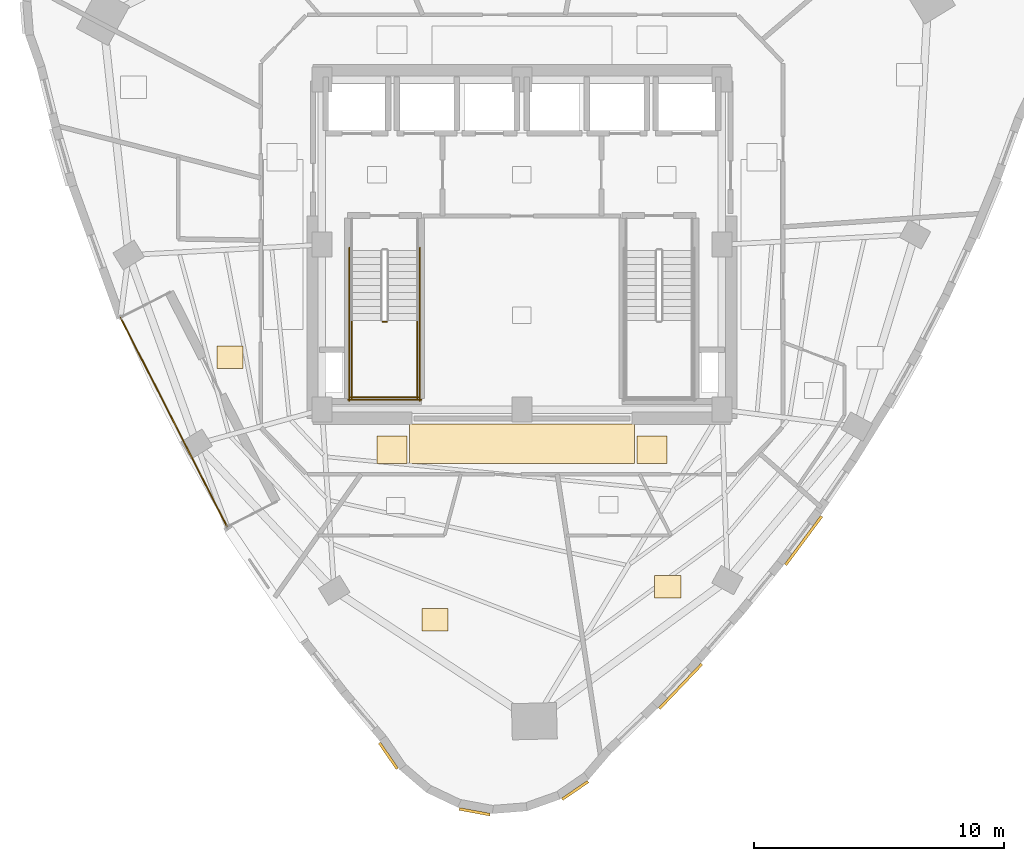
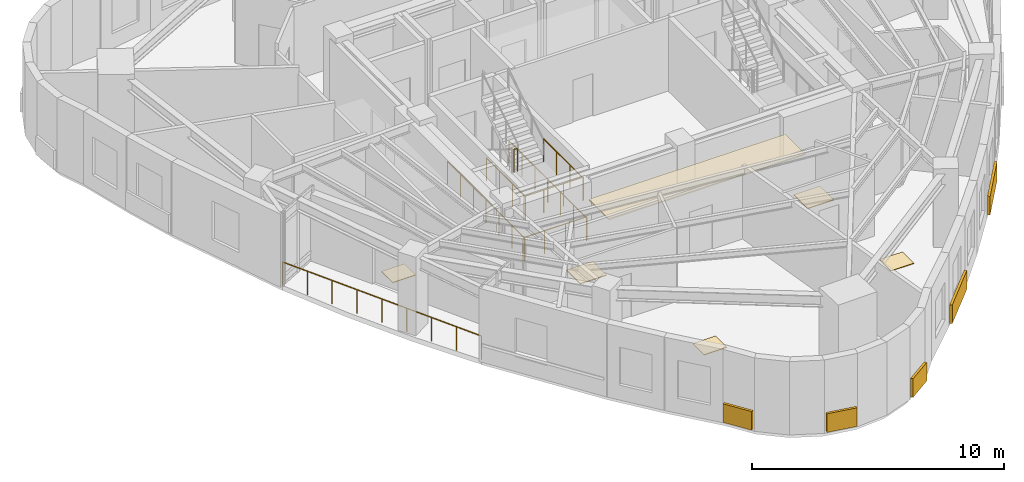
# One storey, part 10 of 12: 11 coverings, 8 railings.
"""IFC4 building model written with IfcOpenShell, lengths in metres."""

from ifc_helpers import new_model, si_unit, direction, frame, origin, origin_2d, place, context, subcontext, project, spatial, rectangle, circle, extrude, material, layer, layer_set, type_object, element, save


model = new_model("IFC4")

# Units and contexts
model_context = context("Model", 3, precision=1e-05, world=origin(), true_north=direction((0.0, 1.0)))
body_context = subcontext(model_context, "Body", "Model", "MODEL_VIEW")
ifc_project = project(units=[si_unit("LENGTHUNIT", "METRE"), si_unit("AREAUNIT", "SQUARE_METRE"), si_unit("VOLUMEUNIT", "CUBIC_METRE"), si_unit("PLANEANGLEUNIT", "RADIAN"), si_unit("MASSUNIT", "GRAM", prefix="KILO")], contexts=[model_context])

# Site, building, storey
site_placement = place(None, origin())
site = spatial("IfcSite", under=ifc_project, at=site_placement, CompositionType="ELEMENT")
building_placement = place(site_placement, origin())
building = spatial("IfcBuilding", under=site, at=building_placement, Name="Ndelora Gate Hotel", CompositionType="ELEMENT")
storey_placement = place(building_placement, frame((0.0, 0.0, 194.14990234375)))
storey = spatial("IfcBuildingStorey", under=building, at=storey_placement, Name="L48", CompositionType="ELEMENT", Elevation=194.14990234375)

# Coverings
ifc_material_1 = material(Name="Perforated Acoustic Gypsum Board", Category="gypsum")
ifc_layer_1 = layer(ifc_material_1, 0.054931640625)
ifc_layer_set_1 = layer_set([ifc_layer_1], Name="Perforated Acoustic Gypsum Board")
covering_type_1 = type_object("IfcCoveringType", Name="COV-CEIL-AC60", PredefinedType="CEILING", material=ifc_layer_set_1)
covering_1_placement = place(storey_placement, frame((0.0, -7.9599609375, 2.65283203125), z_axis=(0.0, 0.0, 1.0), x_axis=(1.0, 0.0, 0.0)))
element("IfcCovering", 1, at=covering_1_placement, inside=storey, type_object=covering_type_1, Name="L48 Guest Corridor Acoustic Ceiling S", PredefinedType="CEILING", context=body_context, shape_type="SweptSolid", body=[
    extrude(rectangle(XDim=9.0, YDim=1.580078125, at=origin_2d()), origin(), (0.0, 0.0, 1.0), 0.054931640625),
])
ifc_material_2 = material(Name="Terracotta Fired Clay Brick Slip Cladding", Category="masonry")
ifc_layer_2 = layer(ifc_material_2, 0.110107421875)
ifc_layer_set_2 = layer_set([ifc_layer_2], Name="Terracotta Fired Clay Brick Slip Cladding")
covering_type_2 = type_object("IfcCoveringType", Name="COV-CLAD-BRK", PredefinedType="CLADDING", material=ifc_layer_set_2)
covering_2_placement = place(storey_placement, frame((-5.341064453125, -20.4482421875, 0.10009765625), z_axis=(0.0, 0.0, 1.0), x_axis=(-0.566406236925, 0.824126188622, 0.0)))
element("IfcCovering", 2, at=covering_2_placement, inside=storey, type_object=covering_type_2, Name="L48 Rounded-Corner Brick Cladding Band 19", PredefinedType="CLADDING", context=body_context, shape_type="SweptSolid", body=[
    extrude(rectangle(XDim=1.258056640625, YDim=0.110107421875, at=origin_2d()), origin(), (0.0, 0.0, 1.0), 0.89990234375),
])
for number, where, z_axis, x_axis, name in (
    (3, (-1.8916015625, -22.6884765625, 0.10009765625), (0.0, 0.0, 1.0), (-0.983254907564, 0.182235525492, 0.0), "L48 Rounded-Corner Brick Cladding Band 22"),
    (4, (2.131591796875, -21.833251953125, 0.10009765625), (0.0, 0.0, 1.0), (0.824126188622, 0.566406236925, 0.0), "L48 Rounded-Corner Brick Cladding Band 25"),
):
    element("IfcCovering", number, at=place(storey_placement, frame(where, z_axis=z_axis, x_axis=x_axis)), inside=storey, type_object=covering_type_2, Name=name, PredefinedType="CLADDING", context=body_context, shape_type="SweptSolid", body=[
        extrude(rectangle(XDim=1.257080078125, YDim=0.110107421875, at=origin_2d()), origin(), (0.0, 0.0, 1.0), 0.89990234375),
    ])
covering_3_placement = place(storey_placement, frame((6.34814453125, -17.66845703125, 0.10009765625), z_axis=(0.0, 0.0, 1.0), x_axis=(0.690756218984, 0.723087716626, 0.0)))
element("IfcCovering", 5, at=covering_3_placement, inside=storey, type_object=covering_type_2, Name="L48 Rounded-Corner Brick Cladding Band 28", PredefinedType="CLADDING", context=body_context, shape_type="SweptSolid", body=[
    extrude(rectangle(XDim=2.4599609375, YDim=0.110107421875, at=origin_2d()), origin(), (0.0, 0.0, 1.0), 0.89990234375),
])
covering_4_placement = place(storey_placement, frame((11.2724609375, -11.836181640625, 0.10009765625), z_axis=(0.0, 0.0, 1.0), x_axis=(0.596224874966, 0.802817475191, 0.0)))
element("IfcCovering", 6, at=covering_4_placement, inside=storey, type_object=covering_type_2, Name="L48 Rounded-Corner Brick Cladding Band 31", PredefinedType="CLADDING", context=body_context, shape_type="SweptSolid", body=[
    extrude(rectangle(XDim=2.4208984375, YDim=0.110107421875, at=origin_2d()), origin(), (0.0, 0.0, 1.0), 0.89990234375),
])
ifc_material_3 = material(Name="Engineered Highland Oak Parquet", Category="wood")
ifc_layer_3 = layer(ifc_material_3, 0.030029296875)
ifc_layer_set_3 = layer_set([ifc_layer_3], Name="Engineered Highland Oak Parquet")
covering_type_3 = type_object("IfcCoveringType", Name="COV-FLR-PARQ", PredefinedType="FLOORING", material=ifc_layer_set_3)
for number, where, z_axis, x_axis, name in (
    (7, (-11.674072265625, -4.507080078125, 0.0), (0.0, 0.0, 1.0), (1.0, 0.0, 0.0), "L48 Sky Garden Tea Dining Room Oak Parquet Flooring"),
    (8, (-3.4775390625, -15.001708984375, 0.0), (0.0, 0.0, 1.0), (1.0, 0.0, 0.0), "L48 Grand Corner Suite 5101 Oak Parquet Flooring"),
    (9, (5.8330078125, -13.67529296875, 0.0), (0.0, 0.0, 1.0), (1.0, 0.0, 0.0), "L48 South Panoramic Suite 5102 Oak Parquet Flooring"),
):
    element("IfcCovering", number, at=place(storey_placement, frame(where, z_axis=z_axis, x_axis=x_axis)), inside=storey, type_object=covering_type_3, Name=name, PredefinedType="FLOORING", context=body_context, shape_type="SweptSolid", body=[
        extrude(rectangle(XDim=1.050048828125, YDim=0.89990234375, at=origin_2d()), origin(), (0.0, 0.0, 1.0), 0.030029296875),
    ])
ifc_material_4 = material(Name="Polished Highland Stone Terrazzo", Category="masonry")
ifc_layer_4 = layer(ifc_material_4, 0.034912109375)
ifc_layer_set_4 = layer_set([ifc_layer_4], Name="Polished Highland Stone Terrazzo")
covering_type_4 = type_object("IfcCoveringType", Name="COV-FLR-TERZ", PredefinedType="FLOORING", material=ifc_layer_set_4)
for number, where, z_axis, x_axis, name in (
    (10, (-5.199951171875, -8.199951171875, 0.0), (0.0, 0.0, 1.0), (1.0, 0.0, 0.0), "L48 Corridor Threshold Terrazzo Inlay SW"),
    (11, (5.199951171875, -8.199951171875, 0.0), (0.0, 0.0, 1.0), (1.0, 0.0, 0.0), "L48 Corridor Threshold Terrazzo Inlay SE"),
):
    element("IfcCovering", number, at=place(storey_placement, frame(where, z_axis=z_axis, x_axis=x_axis)), inside=storey, type_object=covering_type_4, Name=name, PredefinedType="FLOORING", context=body_context, shape_type="SweptSolid", body=[
        extrude(rectangle(XDim=1.199951171875, YDim=1.10009765625, at=origin_2d()), origin(), (0.0, 0.0, 1.0), 0.034912109375),
    ])

# Railings
ifc_material_5 = material(Name="Laminated Safety Glass and Bronze Top Rail", Category="glass")
ifc_layer_5 = layer(ifc_material_5, 0.070068359375)
ifc_layer_set_5 = layer_set([ifc_layer_5], Name="Laminated Safety Glass and Bronze Top Rail")
railing_type_1 = type_object("IfcRailingType", Name="RL-BAL-1150", PredefinedType="BALUSTRADE", material=ifc_layer_set_5)
railing_1_placement = place(storey_placement, frame((-16.06005859375, -2.908203125, 0.0)))
element("IfcRailing", 12, at=railing_1_placement, inside=storey, type_object=railing_type_1, Name="L48 Sky-Garden Loggia Terrace Balustrade", PredefinedType="BALUSTRADE", context=body_context, shape_type="SweptSolid", body=[
    extrude(circle(Radius=0.02392578125, at=origin_2d()), frame((0.0, 0.0, 1.1357421875), z_axis=(0.453995034503, -0.891004213596, 0.0), x_axis=(0.891004213596, 0.453995034503, 0.0)), (0.0, 0.0, 1.0), 9.400146484375),
    extrude(circle(Radius=0.02099609375, at=origin_2d()), origin(), (0.0, 0.0, 1.0), 1.11181640625),
    extrude(circle(Radius=0.02099609375, at=origin_2d()), frame((0.533447265625, -1.046875, 0.0)), (0.0, 0.0, 1.0), 1.11181640625),
    extrude(circle(Radius=0.02099609375, at=origin_2d()), frame((1.06689453125, -2.09375, 0.0)), (0.0, 0.0, 1.0), 1.11181640625),
    extrude(circle(Radius=0.02099609375, at=origin_2d()), frame((1.600341796875, -3.140869140625, 0.0)), (0.0, 0.0, 1.0), 1.11181640625),
    extrude(circle(Radius=0.02099609375, at=origin_2d()), frame((2.1337890625, -4.187744140625, 0.0)), (0.0, 0.0, 1.0), 1.11181640625),
    extrude(circle(Radius=0.02099609375, at=origin_2d()), frame((2.667236328125, -5.234619140625, 0.0)), (0.0, 0.0, 1.0), 1.11181640625),
    extrude(circle(Radius=0.02099609375, at=origin_2d()), frame((3.20068359375, -6.28173828125, 0.0)), (0.0, 0.0, 1.0), 1.11181640625),
    extrude(circle(Radius=0.02099609375, at=origin_2d()), frame((3.734130859375, -7.32861328125, 0.0)), (0.0, 0.0, 1.0), 1.11181640625),
    extrude(circle(Radius=0.02099609375, at=origin_2d()), frame((4.267578125, -8.37548828125, 0.0)), (0.0, 0.0, 1.0), 1.11181640625),
])
ifc_material_6 = material(Name="Painted Galvanized Steel Balustrade", Category="steel")
ifc_layer_6 = layer(ifc_material_6, 0.06005859375)
ifc_layer_set_6 = layer_set([ifc_layer_6], Name="Painted Galvanized Steel Balustrade")
railing_type_2 = type_object("IfcRailingType", Name="RL-STAIR-GD", PredefinedType="GUARDRAIL", material=ifc_layer_set_6)
railing_2_placement = place(storey_placement, frame((-5.570068359375, -3.080078125, 1.900146484375)))
element("IfcRailing", 13, at=railing_2_placement, inside=storey, type_object=railing_type_2, Name="L48 ST4 stair guard 2", PredefinedType="GUARDRAIL", context=body_context, shape_type="SweptSolid", body=[
    extrude(circle(Radius=0.02392578125, at=origin_2d()), frame((0.0, 0.0, 1.10595703125), z_axis=(1.0, 0.0, 0.0), x_axis=(0.0, 1.0, 0.0)), (0.0, 0.0, 1.0), 0.16015625),
    extrude(circle(Radius=0.02099609375, at=origin_2d()), origin(), (0.0, 0.0, 1.0), 1.081787109375),
    extrude(circle(Radius=0.02099609375, at=origin_2d()), frame((0.16015625, 0.0, 0.0)), (0.0, 0.0, 1.0), 1.081787109375),
])
for number, where, name in (
    (14, (-6.800048828125, -3.030029296875, 1.900146484375), "L48 ST4 stair guard 3"),
    (15, (-4.179931640625, -3.030029296875, 1.900146484375), "L48 ST4 stair guard 4"),
):
    element("IfcRailing", number, at=place(storey_placement, frame(where)), inside=storey, type_object=railing_type_2, Name=name, PredefinedType="GUARDRAIL", context=body_context, shape_type="SweptSolid", body=[
        extrude(circle(Radius=0.02392578125, at=origin_2d()), frame((0.0, 0.0, 1.10595703125), z_axis=(0.0, -1.0, 0.0), x_axis=(1.0, 0.0, 0.0)), (0.0, 0.0, 1.0), 3.119873046875),
        extrude(circle(Radius=0.02099609375, at=origin_2d()), origin(), (0.0, 0.0, 1.0), 1.081787109375),
        extrude(circle(Radius=0.02099609375, at=origin_2d()), frame((0.0, -1.0400390625, 0.0)), (0.0, 0.0, 1.0), 1.081787109375),
        extrude(circle(Radius=0.02099609375, at=origin_2d()), frame((0.0, -2.079833984375, 0.0)), (0.0, 0.0, 1.0), 1.081787109375),
        extrude(circle(Radius=0.02099609375, at=origin_2d()), frame((0.0, -3.119873046875, 0.0)), (0.0, 0.0, 1.0), 1.081787109375),
    ])
railing_3_placement = place(storey_placement, frame((-6.85009765625, -6.10009765625, 1.900146484375)))
element("IfcRailing", 16, at=railing_3_placement, inside=storey, type_object=railing_type_2, Name="L48 ST4 stair guard 5", PredefinedType="GUARDRAIL", context=body_context, shape_type="SweptSolid", body=[
    extrude(circle(Radius=0.02392578125, at=origin_2d()), frame((0.0, 0.0, 1.10595703125), z_axis=(1.0, 0.0, 0.0), x_axis=(0.0, 1.0, 0.0)), (0.0, 0.0, 1.0), 2.72021484375),
    extrude(circle(Radius=0.02099609375, at=origin_2d()), origin(), (0.0, 0.0, 1.0), 1.081787109375),
    extrude(circle(Radius=0.02099609375, at=origin_2d()), frame((0.90673828125, 0.0, 0.0)), (0.0, 0.0, 1.0), 1.081787109375),
    extrude(circle(Radius=0.02099609375, at=origin_2d()), frame((1.8134765625, 0.0, 0.0)), (0.0, 0.0, 1.0), 1.081787109375),
    extrude(circle(Radius=0.02099609375, at=origin_2d()), frame((2.72021484375, 0.0, 0.0)), (0.0, 0.0, 1.0), 1.081787109375),
])
for number, where, name in (
    (17, (-6.89990234375, -0.1298828125, 0.0), "L48 ST4 stair guard 10"),
    (18, (-4.080078125, -0.1298828125, 0.0), "L48 ST4 stair guard 11"),
):
    element("IfcRailing", number, at=place(storey_placement, frame(where)), inside=storey, type_object=railing_type_2, Name=name, PredefinedType="GUARDRAIL", context=body_context, shape_type="SweptSolid", body=[
        extrude(circle(Radius=0.02392578125, at=origin_2d()), frame((0.0, 0.0, 1.10595703125), z_axis=(0.0, -1.0, 0.0), x_axis=(1.0, 0.0, 0.0)), (0.0, 0.0, 1.0), 6.1201171875),
        extrude(circle(Radius=0.02099609375, at=origin_2d()), origin(), (0.0, 0.0, 1.0), 1.081787109375),
        extrude(circle(Radius=0.02099609375, at=origin_2d()), frame((0.0, -1.02001953125, 0.0)), (0.0, 0.0, 1.0), 1.081787109375),
        extrude(circle(Radius=0.02099609375, at=origin_2d()), frame((0.0, -2.0400390625, 0.0)), (0.0, 0.0, 1.0), 1.081787109375),
        extrude(circle(Radius=0.02099609375, at=origin_2d()), frame((0.0, -3.06005859375, 0.0)), (0.0, 0.0, 1.0), 1.081787109375),
        extrude(circle(Radius=0.02099609375, at=origin_2d()), frame((0.0, -4.080078125, 0.0)), (0.0, 0.0, 1.0), 1.081787109375),
        extrude(circle(Radius=0.02099609375, at=origin_2d()), frame((0.0, -5.10009765625, 0.0)), (0.0, 0.0, 1.0), 1.081787109375),
        extrude(circle(Radius=0.02099609375, at=origin_2d()), frame((0.0, -6.1201171875, 0.0)), (0.0, 0.0, 1.0), 1.081787109375),
    ])
railing_4_placement = place(storey_placement, frame((-6.949951171875, -6.199951171875, 0.0)))
element("IfcRailing", 19, at=railing_4_placement, inside=storey, type_object=railing_type_2, Name="L48 ST4 stair guard 12", PredefinedType="GUARDRAIL", context=body_context, shape_type="SweptSolid", body=[
    extrude(circle(Radius=0.02392578125, at=origin_2d()), frame((0.0, 0.0, 1.10595703125), z_axis=(1.0, 0.0, 0.0), x_axis=(0.0, 1.0, 0.0)), (0.0, 0.0, 1.0), 2.919921875),
    extrude(circle(Radius=0.02099609375, at=origin_2d()), origin(), (0.0, 0.0, 1.0), 1.081787109375),
    extrude(circle(Radius=0.02099609375, at=origin_2d()), frame((0.973388671875, 0.0, 0.0)), (0.0, 0.0, 1.0), 1.081787109375),
    extrude(circle(Radius=0.02099609375, at=origin_2d()), frame((1.946533203125, 0.0, 0.0)), (0.0, 0.0, 1.0), 1.081787109375),
    extrude(circle(Radius=0.02099609375, at=origin_2d()), frame((2.919921875, 0.0, 0.0)), (0.0, 0.0, 1.0), 1.081787109375),
])

save(model, "model.ifc")
